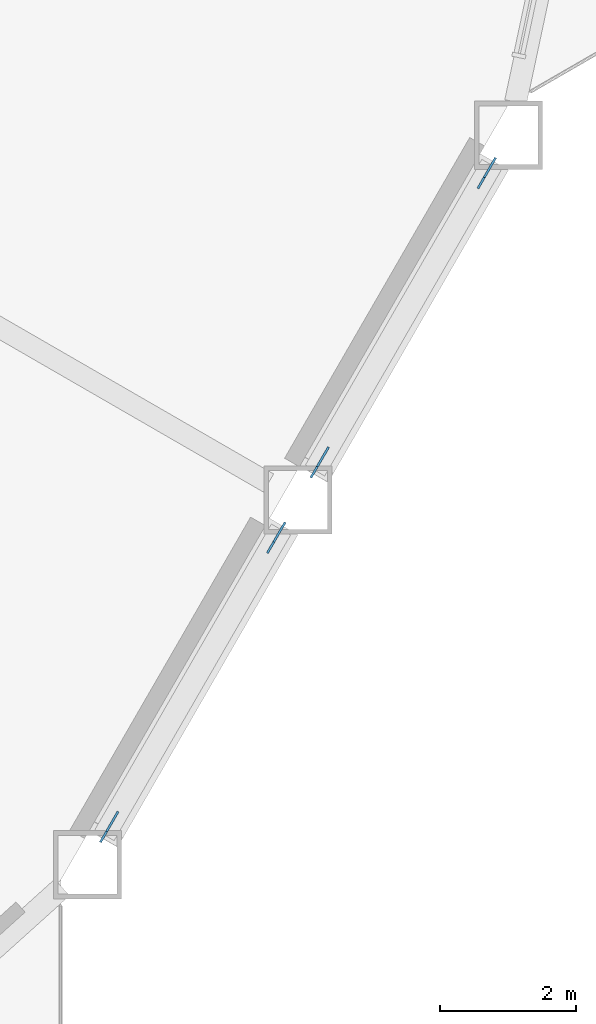
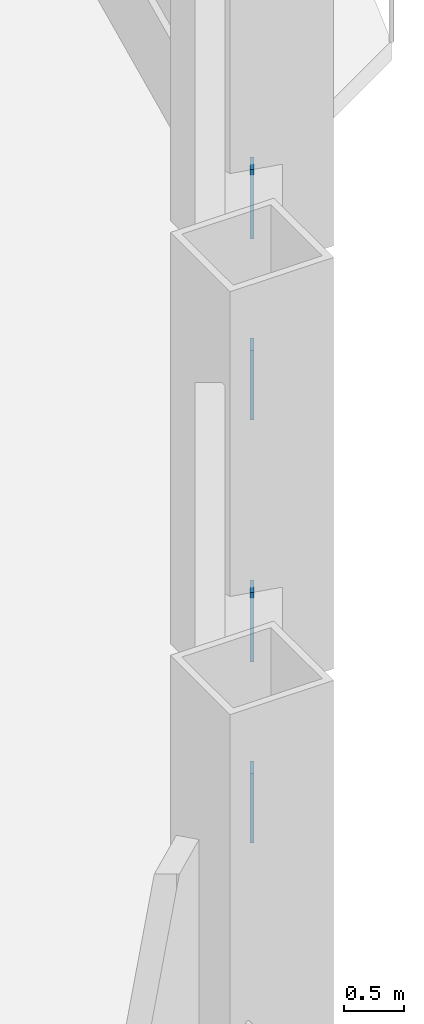
# One storey, part 14 of 20: 4 discrete accessories.
"""IFC4 building model written with IfcOpenShell, lengths in metres."""

from ifc_helpers import new_model, si_unit, direction, frame, origin, origin_2d, place, context, subcontext, project, spatial, rectangle, extrude, material, material_profile, profile_set, type_object, element, save


model = new_model("IFC4")

# Units and contexts
model_context = context("Model", 3, precision=1e-05, world=origin(), true_north=direction((0.0, 1.0)))
body_context = subcontext(model_context, "Body", "Model", "MODEL_VIEW")
ifc_project = project(units=[si_unit("LENGTHUNIT", "METRE"), si_unit("AREAUNIT", "SQUARE_METRE"), si_unit("VOLUMEUNIT", "CUBIC_METRE"), si_unit("PLANEANGLEUNIT", "RADIAN"), si_unit("MASSUNIT", "GRAM", prefix="KILO")], contexts=[model_context])

# Site, building, storey
site_placement = place(None, origin())
site = spatial("IfcSite", under=ifc_project, at=site_placement, CompositionType="ELEMENT")
building_placement = place(site_placement, origin())
building = spatial("IfcBuilding", under=site, at=building_placement, Name="Cormorant Prow Tower", CompositionType="ELEMENT")
storey_placement = place(building_placement, frame((0.0, 0.0, 59.39990234375)))
storey = spatial("IfcBuildingStorey", under=building, at=storey_placement, Name="L12", CompositionType="ELEMENT", Elevation=59.39990234375)

# Discrete accessories
ifc_material = material(Name="Structural steel ASTM A500 Gr C", Category="steel")
ifc_material_profile = material_profile(ifc_material, rectangle(XDim=0.031982421875, YDim=0.60791015625, at=origin_2d()), Name="Gusset plate 32x608")
ifc_profile_set = profile_set([ifc_material_profile], Name="Structural steel ASTM A500 Gr C")
discrete_accessory_type = type_object("IfcDiscreteAccessoryType", Name="Gusset plate 32x608", PredefinedType="BRACKET", material=ifc_profile_set)
discrete_accessory_1_placement = place(storey_placement, frame((27.512939453125, -16.813232421875, 0.859375), z_axis=(0.476464602218, 0.823872174553, -0.306946449452), x_axis=(-0.865660382551, 0.500631703033, 0.0)))
element("IfcDiscreteAccessory", 1, at=discrete_accessory_1_placement, inside=storey, type_object=discrete_accessory_type, Name="Gusset plate GP1 L12.ESE00.g0", PredefinedType="BRACKET", context=body_context, shape_type="SweptSolid", body=[
    extrude(rectangle(XDim=0.031982421875, YDim=0.60791015625, at=origin_2d()), origin(), (0.0, 0.0, 1.0), 0.349853515625),
])
for number, where, z_axis, x_axis, name in (
    (2, (25.232421875, -20.763427734375, 2.329833984375), (-0.475753220995, -0.824545905009, 0.306239976564), (0.866161185697, -0.499764745047, 0.0), "Gusset plate GP1 L12.ESE00.g1"),
    (3, (30.597900390625, -11.47021484375, 0.859375), (0.475651503409, 0.824369614413, -0.306871937683), (-0.866161185697, 0.499764745047, 0.0), "Gusset plate GP1 L12.ESE01.g0"),
):
    element("IfcDiscreteAccessory", number, at=place(storey_placement, frame(where, z_axis=z_axis, x_axis=x_axis)), inside=storey, type_object=discrete_accessory_type, Name=name, PredefinedType="BRACKET", context=body_context, shape_type="SweptSolid", body=[
        extrude(rectangle(XDim=0.031982421875, YDim=0.60791015625, at=origin_2d()), origin(), (0.0, 0.0, 1.0), 0.35009765625),
    ])
discrete_accessory_2_placement = place(storey_placement, frame((28.3173828125, -15.42041015625, 2.329833984375), z_axis=(-0.476566543187, -0.824048444368, 0.306314366704), x_axis=(0.865660382551, -0.500631703033, 0.0)))
element("IfcDiscreteAccessory", 4, at=discrete_accessory_2_placement, inside=storey, type_object=discrete_accessory_type, Name="Gusset plate GP1 L12.ESE01.g1", PredefinedType="BRACKET", context=body_context, shape_type="SweptSolid", body=[
    extrude(rectangle(XDim=0.031982421875, YDim=0.60791015625, at=origin_2d()), origin(), (0.0, 0.0, 1.0), 0.349853515625),
])

save(model, "model.ifc")
